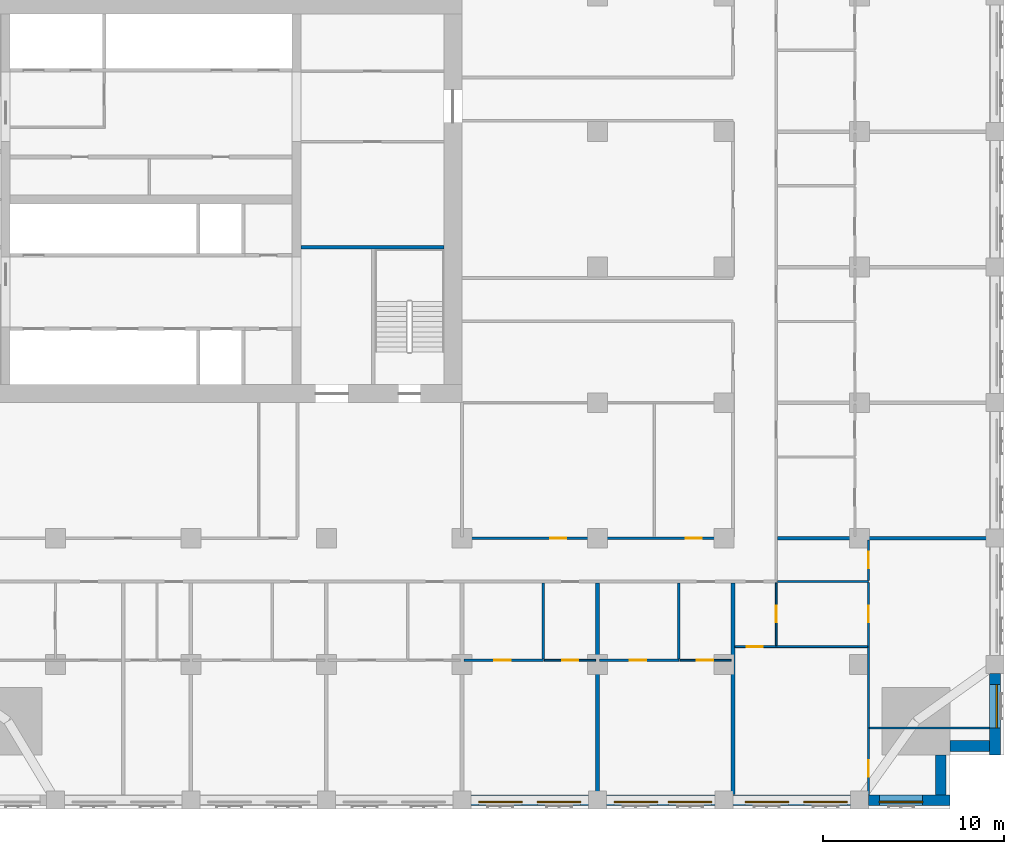
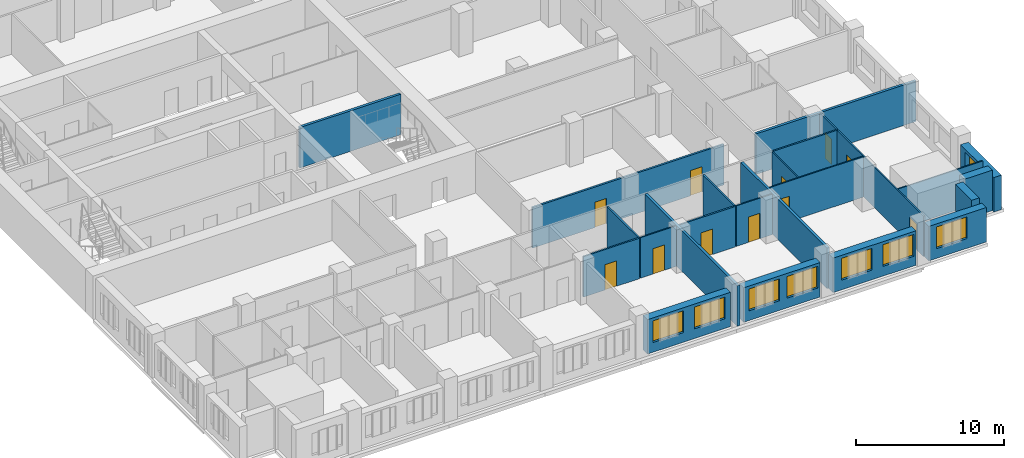
# One storey, part 6 of 14: 24 walls, 11 doors, 8 windows, 19 openings.
"""IFC4 building model written with IfcOpenShell, lengths in metres."""

from ifc_helpers import new_model, si_unit, direction, frame, frame_2d, origin, place, context, subcontext, project, spatial, rectangle, extrude, material, layer, layer_set, type_object, element, fill, save


model = new_model("IFC4")

# Units and contexts
model_context = context("Model", 3, precision=1e-05, world=origin(), true_north=direction((0.0, 1.0)))
body_context = subcontext(model_context, "Body", "Model", "MODEL_VIEW")
ifc_project = project(units=[si_unit("LENGTHUNIT", "METRE"), si_unit("AREAUNIT", "SQUARE_METRE"), si_unit("VOLUMEUNIT", "CUBIC_METRE"), si_unit("PLANEANGLEUNIT", "RADIAN"), si_unit("MASSUNIT", "GRAM", prefix="KILO")], contexts=[model_context])

# Site, building, storey
site_placement = place(None, origin())
site = spatial("IfcSite", under=ifc_project, at=site_placement, CompositionType="ELEMENT")
building_placement = place(site_placement, origin())
building = spatial("IfcBuilding", under=site, at=building_placement, Name="Tamorin Gate", CompositionType="ELEMENT")
storey_placement = place(building_placement, frame((0.0, 0.0, 100.699951171875)))
storey = spatial("IfcBuildingStorey", under=building, at=storey_placement, Name="L24", CompositionType="ELEMENT", Elevation=100.699951171875)

# Wall, openings, windows
ifc_material_1 = material(Name="Precast concrete C40/50", Category="concrete")
ifc_layer_1 = layer(ifc_material_1, 0.60009765625)
ifc_layer_set_1 = layer_set([ifc_layer_1], Name="Precast concrete C40/50")
wall_type_1 = type_object("IfcWallType", Name="Board-marked concrete facade panel 600", PredefinedType="SOLIDWALL", material=ifc_layer_set_1)
wall_1_placement = place(storey_placement, frame((60.5, 38.0, 0.0), z_axis=(0.0, 0.0, 1.0), x_axis=(1.0, 0.0, 0.0)))
wall_1 = element("IfcWall", 1, at=wall_1_placement, inside=storey, type_object=wall_type_1, Name="Facade panel", PredefinedType="SOLIDWALL", context=body_context, shape_type="SweptSolid", body=[
    extrude(rectangle(XDim=6.5, YDim=0.60009765625, at=frame_2d((3.25, 0.0))), origin(), (0.0, 0.0, 1.0), 2.85009765625),
])
opening_1_placement = place(wall_1_placement, frame((0.425048828125, 0.0, 0.800048828125)))
opening_1 = element("IfcOpeningElement", 2, at=opening_1_placement, cuts=wall_1, Name="Opening WN1", PredefinedType="OPENING", context=body_context, shape_type="SweptSolid", body=[
    extrude(rectangle(XDim=2.39990234375, YDim=1.800048828125, at=frame_2d((1.199951171875, 0.89990234375))), frame((0.0, 0.31005859375, 0.0), z_axis=(0.0, -1.0, 0.0), x_axis=(1.0, 0.0, 0.0)), (0.0, 0.0, 1.0), 0.6201171875),
])
opening_2_placement = place(wall_1_placement, frame((3.675048828125, 0.0, 0.800048828125)))
opening_2 = element("IfcOpeningElement", 3, at=opening_2_placement, cuts=wall_1, Name="Opening WN1", PredefinedType="OPENING", context=body_context, shape_type="SweptSolid", body=[
    extrude(rectangle(XDim=2.39990234375, YDim=1.800048828125, at=frame_2d((1.199951171875, 0.89990234375))), frame((0.0, 0.31005859375, 0.0), z_axis=(0.0, -1.0, 0.0), x_axis=(1.0, 0.0, 0.0)), (0.0, 0.0, 1.0), 0.6201171875),
])
ifc_material_2 = material(Name="Clear glass in aluminium frame", Category="aluminium")
window_type = type_object("IfcWindowType", Name="Deep-set window 2400x1800", PartitioningType="SINGLE_PANEL", PredefinedType="WINDOW", material=ifc_material_2)
window_1_placement = place(opening_1_placement, origin())
window_1 = element("IfcWindow", 4, at=window_1_placement, inside=storey, type_object=window_type, Name="Deep-set window", OverallHeight=1.800048828125, OverallWidth=2.39990234375, PartitioningType="SINGLE_PANEL", PredefinedType="WINDOW", context=body_context, shape_type="SweptSolid", body=[
    extrude(rectangle(XDim=2.39990234375, YDim=1.800048828125, at=frame_2d((1.199951171875, 0.89990234375))), frame((0.0, -0.070068359375, 0.0), z_axis=(0.0, -1.0, 0.0), x_axis=(1.0, 0.0, 0.0)), (0.0, 0.0, 1.0), 0.06005859375),
])
fill(opening_1, window_1)
window_2_placement = place(opening_2_placement, origin())
window_2 = element("IfcWindow", 5, at=window_2_placement, inside=storey, type_object=window_type, Name="Deep-set window", OverallHeight=1.800048828125, OverallWidth=2.39990234375, PartitioningType="SINGLE_PANEL", PredefinedType="WINDOW", context=body_context, shape_type="SweptSolid", body=[
    extrude(rectangle(XDim=2.39990234375, YDim=1.800048828125, at=frame_2d((1.199951171875, 0.89990234375))), frame((0.0, -0.070068359375, 0.0), z_axis=(0.0, -1.0, 0.0), x_axis=(1.0, 0.0, 0.0)), (0.0, 0.0, 1.0), 0.06005859375),
])
fill(opening_2, window_2)

wall_2_placement = place(storey_placement, frame((68.0, 38.0, 0.0), z_axis=(0.0, 0.0, 1.0), x_axis=(1.0, 0.0, 0.0)))
wall_2 = element("IfcWall", 6, at=wall_2_placement, inside=storey, type_object=wall_type_1, Name="Facade panel", PredefinedType="SOLIDWALL", context=body_context, shape_type="SweptSolid", body=[
    extrude(rectangle(XDim=6.0, YDim=0.60009765625, at=frame_2d((3.0, 0.0))), origin(), (0.0, 0.0, 1.0), 2.85009765625),
])
opening_3_placement = place(wall_2_placement, frame((0.425048828125, 0.0, 0.800048828125)))
opening_3 = element("IfcOpeningElement", 7, at=opening_3_placement, cuts=wall_2, Name="Opening WN1", PredefinedType="OPENING", context=body_context, shape_type="SweptSolid", body=[
    extrude(rectangle(XDim=2.39990234375, YDim=1.800048828125, at=frame_2d((1.199951171875, 0.89990234375))), frame((0.0, 0.31005859375, 0.0), z_axis=(0.0, -1.0, 0.0), x_axis=(1.0, 0.0, 0.0)), (0.0, 0.0, 1.0), 0.6201171875),
])
opening_4_placement = place(wall_2_placement, frame((3.425048828125, 0.0, 0.800048828125)))
opening_4 = element("IfcOpeningElement", 8, at=opening_4_placement, cuts=wall_2, Name="Opening WN1", PredefinedType="OPENING", context=body_context, shape_type="SweptSolid", body=[
    extrude(rectangle(XDim=2.39990234375, YDim=1.800048828125, at=frame_2d((1.199951171875, 0.89990234375))), frame((0.0, 0.31005859375, 0.0), z_axis=(0.0, -1.0, 0.0), x_axis=(1.0, 0.0, 0.0)), (0.0, 0.0, 1.0), 0.6201171875),
])
window_3_placement = place(opening_3_placement, origin())
window_3 = element("IfcWindow", 9, at=window_3_placement, inside=storey, type_object=window_type, Name="Deep-set window", OverallHeight=1.800048828125, OverallWidth=2.39990234375, PartitioningType="SINGLE_PANEL", PredefinedType="WINDOW", context=body_context, shape_type="SweptSolid", body=[
    extrude(rectangle(XDim=2.39990234375, YDim=1.800048828125, at=frame_2d((1.199951171875, 0.89990234375))), frame((0.0, -0.070068359375, 0.0), z_axis=(0.0, -1.0, 0.0), x_axis=(1.0, 0.0, 0.0)), (0.0, 0.0, 1.0), 0.06005859375),
])
fill(opening_3, window_3)
window_4_placement = place(opening_4_placement, origin())
window_4 = element("IfcWindow", 10, at=window_4_placement, inside=storey, type_object=window_type, Name="Deep-set window", OverallHeight=1.800048828125, OverallWidth=2.39990234375, PartitioningType="SINGLE_PANEL", PredefinedType="WINDOW", context=body_context, shape_type="SweptSolid", body=[
    extrude(rectangle(XDim=2.39990234375, YDim=1.800048828125, at=frame_2d((1.199951171875, 0.89990234375))), frame((0.0, -0.070068359375, 0.0), z_axis=(0.0, -1.0, 0.0), x_axis=(1.0, 0.0, 0.0)), (0.0, 0.0, 1.0), 0.06005859375),
])
fill(opening_4, window_4)

wall_3_placement = place(storey_placement, frame((75.0, 38.0, 0.0), z_axis=(0.0, 0.0, 1.0), x_axis=(1.0, 0.0, 0.0)))
wall_3 = element("IfcWall", 11, at=wall_3_placement, inside=storey, type_object=wall_type_1, Name="Facade panel", PredefinedType="SOLIDWALL", context=body_context, shape_type="SweptSolid", body=[
    extrude(rectangle(XDim=6.5, YDim=0.60009765625, at=frame_2d((3.25, 0.0))), origin(), (0.0, 0.0, 1.0), 2.85009765625),
])
opening_5_placement = place(wall_3_placement, frame((0.675048828125, 0.0, 0.800048828125)))
opening_5 = element("IfcOpeningElement", 12, at=opening_5_placement, cuts=wall_3, Name="Opening WN1", PredefinedType="OPENING", context=body_context, shape_type="SweptSolid", body=[
    extrude(rectangle(XDim=2.39990234375, YDim=1.800048828125, at=frame_2d((1.199951171875, 0.89990234375))), frame((0.0, 0.31005859375, 0.0), z_axis=(0.0, -1.0, 0.0), x_axis=(1.0, 0.0, 0.0)), (0.0, 0.0, 1.0), 0.6201171875),
])
opening_6_placement = place(wall_3_placement, frame((3.925048828125, 0.0, 0.800048828125)))
opening_6 = element("IfcOpeningElement", 13, at=opening_6_placement, cuts=wall_3, Name="Opening WN1", PredefinedType="OPENING", context=body_context, shape_type="SweptSolid", body=[
    extrude(rectangle(XDim=2.39990234375, YDim=1.800048828125, at=frame_2d((1.199951171875, 0.89990234375))), frame((0.0, 0.31005859375, 0.0), z_axis=(0.0, -1.0, 0.0), x_axis=(1.0, 0.0, 0.0)), (0.0, 0.0, 1.0), 0.6201171875),
])
window_5_placement = place(opening_5_placement, origin())
window_5 = element("IfcWindow", 14, at=window_5_placement, inside=storey, type_object=window_type, Name="Deep-set window", OverallHeight=1.800048828125, OverallWidth=2.39990234375, PartitioningType="SINGLE_PANEL", PredefinedType="WINDOW", context=body_context, shape_type="SweptSolid", body=[
    extrude(rectangle(XDim=2.39990234375, YDim=1.800048828125, at=frame_2d((1.199951171875, 0.89990234375))), frame((0.0, -0.070068359375, 0.0), z_axis=(0.0, -1.0, 0.0), x_axis=(1.0, 0.0, 0.0)), (0.0, 0.0, 1.0), 0.06005859375),
])
fill(opening_5, window_5)
window_6_placement = place(opening_6_placement, origin())
window_6 = element("IfcWindow", 15, at=window_6_placement, inside=storey, type_object=window_type, Name="Deep-set window", OverallHeight=1.800048828125, OverallWidth=2.39990234375, PartitioningType="SINGLE_PANEL", PredefinedType="WINDOW", context=body_context, shape_type="SweptSolid", body=[
    extrude(rectangle(XDim=2.39990234375, YDim=1.800048828125, at=frame_2d((1.199951171875, 0.89990234375))), frame((0.0, -0.070068359375, 0.0), z_axis=(0.0, -1.0, 0.0), x_axis=(1.0, 0.0, 0.0)), (0.0, 0.0, 1.0), 0.06005859375),
])
fill(opening_6, window_6)

# Wall, opening, window
wall_4_placement = place(storey_placement, frame((82.5, 38.0, 0.0), z_axis=(0.0, 0.0, 1.0), x_axis=(1.0, 0.0, 0.0)))
wall_4 = element("IfcWall", 16, at=wall_4_placement, inside=storey, type_object=wall_type_1, Name="Facade panel", PredefinedType="SOLIDWALL", context=body_context, shape_type="SweptSolid", body=[
    extrude(rectangle(XDim=4.5, YDim=0.60009765625, at=frame_2d((2.25, 0.0))), origin(), (0.0, 0.0, 1.0), 2.85009765625),
])
opening_7_placement = place(wall_4_placement, frame((0.60009765625, 0.0, 0.800048828125)))
opening_7 = element("IfcOpeningElement", 17, at=opening_7_placement, cuts=wall_4, Name="Opening WN1", PredefinedType="OPENING", context=body_context, shape_type="SweptSolid", body=[
    extrude(rectangle(XDim=2.39990234375, YDim=1.800048828125, at=frame_2d((1.199951171875, 0.89990234375))), frame((0.0, 0.31005859375, 0.0), z_axis=(0.0, -1.0, 0.0), x_axis=(1.0, 0.0, 0.0)), (0.0, 0.0, 1.0), 0.6201171875),
])
window_7_placement = place(opening_7_placement, origin())
window_7 = element("IfcWindow", 18, at=window_7_placement, inside=storey, type_object=window_type, Name="Deep-set window", OverallHeight=1.800048828125, OverallWidth=2.39990234375, PartitioningType="SINGLE_PANEL", PredefinedType="WINDOW", context=body_context, shape_type="SweptSolid", body=[
    extrude(rectangle(XDim=2.39990234375, YDim=1.800048828125, at=frame_2d((1.199951171875, 0.89990234375))), frame((0.0, -0.070068359375, 0.0), z_axis=(0.0, -1.0, 0.0), x_axis=(1.0, 0.0, 0.0)), (0.0, 0.0, 1.0), 0.06005859375),
])
fill(opening_7, window_7)

# Walls
for number, where, z_axis, x_axis, name in (
    (19, (86.5, 38.300048828125, 0.0), (0.0, 0.0, 1.0), (0.0, 1.0, 0.0), "Facade panel"),
    (20, (87.0, 41.0, 0.0), (0.0, 0.0, 1.0), (1.0, 0.0, 0.0), "Facade panel"),
):
    element("IfcWall", number, at=place(storey_placement, frame(where, z_axis=z_axis, x_axis=x_axis)), inside=storey, type_object=wall_type_1, Name=name, PredefinedType="SOLIDWALL", context=body_context, shape_type="SweptSolid", body=[
        extrude(rectangle(XDim=2.199951171875, YDim=0.60009765625, at=frame_2d((1.10009765625, 0.0))), origin(), (0.0, 0.0, 1.0), 3.35009765625),
    ])

# Wall, opening, window
wall_5_placement = place(storey_placement, frame((89.5, 40.5, 0.0), z_axis=(0.0, 0.0, 1.0), x_axis=(0.0, 1.0, 0.0)))
wall_5 = element("IfcWall", 21, at=wall_5_placement, inside=storey, type_object=wall_type_1, Name="Facade panel", PredefinedType="SOLIDWALL", context=body_context, shape_type="SweptSolid", body=[
    extrude(rectangle(XDim=4.5, YDim=0.60009765625, at=frame_2d((2.25, 0.0))), origin(), (0.0, 0.0, 1.0), 2.85009765625),
])
opening_8_placement = place(wall_5_placement, frame((1.5, 0.0, 0.800048828125)))
opening_8 = element("IfcOpeningElement", 22, at=opening_8_placement, cuts=wall_5, Name="Opening WN1", PredefinedType="OPENING", context=body_context, shape_type="SweptSolid", body=[
    extrude(rectangle(XDim=2.39990234375, YDim=1.800048828125, at=frame_2d((1.199951171875, 0.89990234375))), frame((0.0, 0.31005859375, 0.0), z_axis=(0.0, -1.0, 0.0), x_axis=(1.0, 0.0, 0.0)), (0.0, 0.0, 1.0), 0.6201171875),
])
window_8_placement = place(opening_8_placement, origin())
window_8 = element("IfcWindow", 23, at=window_8_placement, inside=storey, type_object=window_type, Name="Deep-set window", OverallHeight=1.800048828125, OverallWidth=2.39990234375, PartitioningType="SINGLE_PANEL", PredefinedType="WINDOW", context=body_context, shape_type="SweptSolid", body=[
    extrude(rectangle(XDim=2.39990234375, YDim=1.800048828125, at=frame_2d((1.199951171875, 0.89990234375))), frame((0.0, -0.070068359375, 0.0), z_axis=(0.0, -1.0, 0.0), x_axis=(1.0, 0.0, 0.0)), (0.0, 0.0, 1.0), 0.06005859375),
])
fill(opening_8, window_8)

# Wall, openings, doors
ifc_material_3 = material(Name="Gypsum board partition")
ifc_layer_2 = layer(ifc_material_3, 0.14990234375)
ifc_layer_set_2 = layer_set([ifc_layer_2], Name="Corridor wall 150")
wall_type_2 = type_object("IfcWallType", Name="Corridor wall 150", PredefinedType="PARTITIONING", material=ifc_layer_set_2)
wall_6_placement = place(storey_placement, frame((60.0, 52.5, 0.0), z_axis=(0.0, 0.0, 1.0), x_axis=(1.0, 0.0, 0.0)))
wall_6 = element("IfcWall", 24, at=wall_6_placement, inside=storey, type_object=wall_type_2, Name="Corridor wall 150", PredefinedType="PARTITIONING", context=body_context, shape_type="SweptSolid", body=[
    extrude(rectangle(XDim=15.0, YDim=0.14990234375, at=frame_2d((7.5, 0.0))), origin(), (0.0, 0.0, 1.0), 3.35009765625),
])
opening_9_placement = place(wall_6_placement, frame((4.875, 0.0, 0.0)))
opening_9 = element("IfcOpeningElement", 25, at=opening_9_placement, cuts=wall_6, Name="Opening DH7068", PredefinedType="OPENING", context=body_context, shape_type="SweptSolid", body=[
    extrude(rectangle(XDim=0.89990234375, YDim=2.10009765625, at=frame_2d((0.449951171875, 1.050048828125))), frame((0.0, 0.0849609375, 0.0), z_axis=(0.0, -1.0, 0.0), x_axis=(1.0, 0.0, 0.0)), (0.0, 0.0, 1.0), 0.169921875),
])
opening_10_placement = place(wall_6_placement, frame((12.375, 0.0, 0.0)))
opening_10 = element("IfcOpeningElement", 26, at=opening_10_placement, cuts=wall_6, Name="Opening DH7069", PredefinedType="OPENING", context=body_context, shape_type="SweptSolid", body=[
    extrude(rectangle(XDim=0.89990234375, YDim=2.10009765625, at=frame_2d((0.449951171875, 1.050048828125))), frame((0.0, 0.0849609375, 0.0), z_axis=(0.0, -1.0, 0.0), x_axis=(1.0, 0.0, 0.0)), (0.0, 0.0, 1.0), 0.169921875),
])
ifc_material_4 = material(Name="Timber door leaf", Category="wood")
door_type_1 = type_object("IfcDoorType", Name="Door 900 x 2100 FD30S", OperationType="NOTDEFINED", PredefinedType="DOOR", material=ifc_material_4)
door_1_placement = place(opening_9_placement, origin())
door_1 = element("IfcDoor", 27, at=door_1_placement, inside=storey, type_object=door_type_1, Name="Door DH7068", OperationType="SINGLE_SWING_RIGHT", OverallHeight=2.10009765625, OverallWidth=0.89990234375, PredefinedType="DOOR", context=body_context, shape_type="SweptSolid", body=[
    extrude(rectangle(XDim=0.89990234375, YDim=2.10009765625, at=frame_2d((0.449951171875, 1.050048828125))), frame((0.0, 0.02490234375, 0.0), z_axis=(0.0, -1.0, 0.0), x_axis=(1.0, 0.0, 0.0)), (0.0, 0.0, 1.0), 0.050048828125),
])
fill(opening_9, door_1)
door_2_placement = place(opening_10_placement, origin())
door_2 = element("IfcDoor", 28, at=door_2_placement, inside=storey, type_object=door_type_1, Name="Door DH7069", OperationType="SINGLE_SWING_RIGHT", OverallHeight=2.10009765625, OverallWidth=0.89990234375, PredefinedType="DOOR", context=body_context, shape_type="SweptSolid", body=[
    extrude(rectangle(XDim=0.89990234375, YDim=2.10009765625, at=frame_2d((0.449951171875, 1.050048828125))), frame((0.0, 0.02490234375, 0.0), z_axis=(0.0, -1.0, 0.0), x_axis=(1.0, 0.0, 0.0)), (0.0, 0.0, 1.0), 0.050048828125),
])
fill(opening_10, door_2)

# Walls
ifc_layer_3 = layer(ifc_material_3, 0.199951171875)
ifc_layer_set_3 = layer_set([ifc_layer_3], Name="Demising wall 200")
wall_type_3 = type_object("IfcWallType", Name="Demising wall 200", PredefinedType="PARTITIONING", material=ifc_layer_set_3)
for number, where, z_axis, x_axis, name in (
    (29, (77.47509765625, 52.5, 0.0), (0.0, 0.0, 1.0), (1.0, 0.0, 0.0), "Demising wall 200"),
    (30, (67.5, 37.5, 0.0), (0.0, 0.0, 1.0), (0.0, 1.0, 0.0), "Demising wall 200"),
):
    element("IfcWall", number, at=place(storey_placement, frame(where, z_axis=z_axis, x_axis=x_axis)), inside=storey, type_object=wall_type_3, Name=name, PredefinedType="PARTITIONING", context=body_context, shape_type="SweptSolid", body=[
        extrude(rectangle(XDim=12.52490234375, YDim=0.199951171875, at=frame_2d((6.262451171875, 0.0))), origin(), (0.0, 0.0, 1.0), 3.35009765625),
    ])
wall_7_placement = place(storey_placement, frame((75.0, 38.31005859375, 0.0), z_axis=(0.0, 0.0, 1.0), x_axis=(0.0, 1.0, 0.0)))
element("IfcWall", 31, at=wall_7_placement, inside=storey, type_object=wall_type_3, Name="Demising wall 200", PredefinedType="PARTITIONING", context=body_context, shape_type="SweptSolid", body=[
    extrude(rectangle(XDim=11.71484375, YDim=0.199951171875, at=frame_2d((5.857421875, 0.0))), origin(), (0.0, 0.0, 1.0), 3.35009765625),
])
ifc_layer_4 = layer(ifc_material_3, 0.10009765625)
ifc_layer_set_4 = layer_set([ifc_layer_4], Name="Room partition 100")
wall_type_4 = type_object("IfcWallType", Name="Room partition 100", PredefinedType="PARTITIONING", material=ifc_layer_set_4)
wall_8_placement = place(storey_placement, frame((82.550048828125, 42.0, 0.0), z_axis=(0.0, 0.0, 1.0), x_axis=(1.0, 0.0, 0.0)))
element("IfcWall", 32, at=wall_8_placement, inside=storey, type_object=wall_type_4, Name="Room partition 100", PredefinedType="PARTITIONING", context=body_context, shape_type="SweptSolid", body=[
    extrude(rectangle(XDim=6.639892578125, YDim=0.10009765625, at=frame_2d((3.31982421875, 0.0))), origin(), (0.0, 0.0, 1.0), 3.35009765625),
])

# Wall, opening, door
wall_9_placement = place(storey_placement, frame((64.5625, 45.75, 0.0), z_axis=(0.0, 0.0, 1.0), x_axis=(1.0, 0.0, 0.0)))
wall_9 = element("IfcWall", 33, at=wall_9_placement, inside=storey, type_object=wall_type_4, Name="Room partition 100", PredefinedType="PARTITIONING", context=body_context, shape_type="SweptSolid", body=[
    extrude(rectangle(XDim=2.83740234375, YDim=0.10009765625, at=frame_2d((1.418701171875, 0.0))), origin(), (0.0, 0.0, 1.0), 3.35009765625),
])
opening_11_placement = place(wall_9_placement, frame((0.987548828125, 0.0, 0.0)))
opening_11 = element("IfcOpeningElement", 34, at=opening_11_placement, cuts=wall_9, Name="Opening DH7016", PredefinedType="OPENING", context=body_context, shape_type="SweptSolid", body=[
    extrude(rectangle(XDim=0.89990234375, YDim=2.10009765625, at=frame_2d((0.449951171875, 1.050048828125))), frame((0.0, 0.06005859375, 0.0), z_axis=(0.0, -1.0, 0.0), x_axis=(1.0, 0.0, 0.0)), (0.0, 0.0, 1.0), 0.1201171875),
])
door_type_2 = type_object("IfcDoorType", Name="Door 900 x 2100", OperationType="NOTDEFINED", PredefinedType="DOOR", material=ifc_material_4)
door_3_placement = place(opening_11_placement, origin())
door_3 = element("IfcDoor", 35, at=door_3_placement, inside=storey, type_object=door_type_2, Name="Door DH7016", OperationType="SINGLE_SWING_LEFT", OverallHeight=2.10009765625, OverallWidth=0.89990234375, PredefinedType="DOOR", context=body_context, shape_type="SweptSolid", body=[
    extrude(rectangle(XDim=0.89990234375, YDim=2.10009765625, at=frame_2d((0.449951171875, 1.050048828125))), frame((0.0, 0.02490234375, 0.0), z_axis=(0.0, -1.0, 0.0), x_axis=(1.0, 0.0, 0.0)), (0.0, 0.0, 1.0), 0.050048828125),
])
fill(opening_11, door_3)

wall_10_placement = place(storey_placement, frame((72.0625, 45.75, 0.0), z_axis=(0.0, 0.0, 1.0), x_axis=(1.0, 0.0, 0.0)))
wall_10 = element("IfcWall", 36, at=wall_10_placement, inside=storey, type_object=wall_type_4, Name="Room partition 100", PredefinedType="PARTITIONING", context=body_context, shape_type="SweptSolid", body=[
    extrude(rectangle(XDim=2.83740234375, YDim=0.10009765625, at=frame_2d((1.418701171875, 0.0))), origin(), (0.0, 0.0, 1.0), 3.35009765625),
])
opening_12_placement = place(wall_10_placement, frame((0.9375, 0.0, 0.0)))
opening_12 = element("IfcOpeningElement", 37, at=opening_12_placement, cuts=wall_10, Name="Opening DH7019", PredefinedType="OPENING", context=body_context, shape_type="SweptSolid", body=[
    extrude(rectangle(XDim=0.89990234375, YDim=2.10009765625, at=frame_2d((0.449951171875, 1.050048828125))), frame((0.0, 0.06005859375, 0.0), z_axis=(0.0, -1.0, 0.0), x_axis=(1.0, 0.0, 0.0)), (0.0, 0.0, 1.0), 0.1201171875),
])
door_4_placement = place(opening_12_placement, origin())
door_4 = element("IfcDoor", 38, at=door_4_placement, inside=storey, type_object=door_type_2, Name="Door DH7019", OperationType="SINGLE_SWING_LEFT", OverallHeight=2.10009765625, OverallWidth=0.89990234375, PredefinedType="DOOR", context=body_context, shape_type="SweptSolid", body=[
    extrude(rectangle(XDim=0.89990234375, YDim=2.10009765625, at=frame_2d((0.449951171875, 1.050048828125))), frame((0.0, 0.02490234375, 0.0), z_axis=(0.0, -1.0, 0.0), x_axis=(1.0, 0.0, 0.0)), (0.0, 0.0, 1.0), 0.050048828125),
])
fill(opening_12, door_4)

wall_11_placement = place(storey_placement, frame((75.10009765625, 46.5, 0.0), z_axis=(0.0, 0.0, 1.0), x_axis=(1.0, 0.0, 0.0)))
wall_11 = element("IfcWall", 39, at=wall_11_placement, inside=storey, type_object=wall_type_4, Name="Room partition 100", PredefinedType="PARTITIONING", context=body_context, shape_type="SweptSolid", body=[
    extrude(rectangle(XDim=7.349853515625, YDim=0.10009765625, at=frame_2d((3.6748046875, 0.0))), origin(), (0.0, 0.0, 1.0), 3.35009765625),
])
opening_13_placement = place(wall_11_placement, frame((0.64990234375, 0.0, 0.0)))
opening_13 = element("IfcOpeningElement", 40, at=opening_13_placement, cuts=wall_11, Name="Opening DH7055", PredefinedType="OPENING", context=body_context, shape_type="SweptSolid", body=[
    extrude(rectangle(XDim=0.89990234375, YDim=2.10009765625, at=frame_2d((0.449951171875, 1.050048828125))), frame((0.0, 0.06005859375, 0.0), z_axis=(0.0, -1.0, 0.0), x_axis=(1.0, 0.0, 0.0)), (0.0, 0.0, 1.0), 0.1201171875),
])
door_5_placement = place(opening_13_placement, origin())
door_5 = element("IfcDoor", 41, at=door_5_placement, inside=storey, type_object=door_type_2, Name="Door DH7055", OperationType="SINGLE_SWING_RIGHT", OverallHeight=2.10009765625, OverallWidth=0.89990234375, PredefinedType="DOOR", context=body_context, shape_type="SweptSolid", body=[
    extrude(rectangle(XDim=0.89990234375, YDim=2.10009765625, at=frame_2d((0.449951171875, 1.050048828125))), frame((0.0, 0.02490234375, 0.0), z_axis=(0.0, -1.0, 0.0), x_axis=(1.0, 0.0, 0.0)), (0.0, 0.0, 1.0), 0.050048828125),
])
fill(opening_13, door_5)

wall_12_placement = place(storey_placement, frame((77.39990234375, 46.550048828125, 0.0), z_axis=(0.0, 0.0, 1.0), x_axis=(0.0, 1.0, 0.0)))
wall_12 = element("IfcWall", 42, at=wall_12_placement, inside=storey, type_object=wall_type_4, Name="Room partition 100", PredefinedType="PARTITIONING", context=body_context, shape_type="SweptSolid", body=[
    extrude(rectangle(XDim=3.474853515625, YDim=0.10009765625, at=frame_2d((1.7373046875, 0.0))), origin(), (0.0, 0.0, 1.0), 3.35009765625),
])
opening_14_placement = place(wall_12_placement, frame((1.300048828125, 0.0, 0.0)))
opening_14 = element("IfcOpeningElement", 43, at=opening_14_placement, cuts=wall_12, Name="Opening DH7056", PredefinedType="OPENING", context=body_context, shape_type="SweptSolid", body=[
    extrude(rectangle(XDim=0.89990234375, YDim=2.10009765625, at=frame_2d((0.449951171875, 1.050048828125))), frame((0.0, 0.06005859375, 0.0), z_axis=(0.0, -1.0, 0.0), x_axis=(1.0, 0.0, 0.0)), (0.0, 0.0, 1.0), 0.1201171875),
])
door_6_placement = place(opening_14_placement, origin())
door_6 = element("IfcDoor", 44, at=door_6_placement, inside=storey, type_object=door_type_2, Name="Door DH7056", OperationType="SINGLE_SWING_RIGHT", OverallHeight=2.10009765625, OverallWidth=0.89990234375, PredefinedType="DOOR", context=body_context, shape_type="SweptSolid", body=[
    extrude(rectangle(XDim=0.89990234375, YDim=2.10009765625, at=frame_2d((0.449951171875, 1.050048828125))), frame((0.0, 0.02490234375, 0.0), z_axis=(0.0, -1.0, 0.0), x_axis=(1.0, 0.0, 0.0)), (0.0, 0.0, 1.0), 0.050048828125),
])
fill(opening_14, door_6)

# Wall, openings, doors
wall_13_placement = place(storey_placement, frame((82.5, 38.31005859375, 0.0), z_axis=(0.0, 0.0, 1.0), x_axis=(0.0, 1.0, 0.0)))
wall_13 = element("IfcWall", 45, at=wall_13_placement, inside=storey, type_object=wall_type_4, Name="Room partition 100", PredefinedType="PARTITIONING", context=body_context, shape_type="SweptSolid", body=[
    extrude(rectangle(XDim=11.7275390625, YDim=0.10009765625, at=frame_2d((5.86376953125, 0.0))), origin(), (0.0, 0.0, 1.0), 3.35009765625),
])
opening_15_placement = place(wall_13_placement, frame((0.989990234375, 0.0, 0.0)))
opening_15 = element("IfcOpeningElement", 46, at=opening_15_placement, cuts=wall_13, Name="Opening DH7057", PredefinedType="OPENING", context=body_context, shape_type="SweptSolid", body=[
    extrude(rectangle(XDim=0.89990234375, YDim=2.10009765625, at=frame_2d((0.449951171875, 1.050048828125))), frame((0.0, 0.06005859375, 0.0), z_axis=(0.0, -1.0, 0.0), x_axis=(1.0, 0.0, 0.0)), (0.0, 0.0, 1.0), 0.1201171875),
])
opening_16_placement = place(wall_13_placement, frame((9.5400390625, 0.0, 0.0)))
opening_16 = element("IfcOpeningElement", 47, at=opening_16_placement, cuts=wall_13, Name="Opening DH7058", PredefinedType="OPENING", context=body_context, shape_type="SweptSolid", body=[
    extrude(rectangle(XDim=0.89990234375, YDim=2.10009765625, at=frame_2d((0.449951171875, 1.050048828125))), frame((0.0, 0.06005859375, 0.0), z_axis=(0.0, -1.0, 0.0), x_axis=(1.0, 0.0, 0.0)), (0.0, 0.0, 1.0), 0.1201171875),
])
door_7_placement = place(opening_15_placement, origin())
door_7 = element("IfcDoor", 48, at=door_7_placement, inside=storey, type_object=door_type_2, Name="Door DH7057", OperationType="SINGLE_SWING_LEFT", OverallHeight=2.10009765625, OverallWidth=0.89990234375, PredefinedType="DOOR", context=body_context, shape_type="SweptSolid", body=[
    extrude(rectangle(XDim=0.89990234375, YDim=2.10009765625, at=frame_2d((0.449951171875, 1.050048828125))), frame((0.0, 0.02490234375, 0.0), z_axis=(0.0, -1.0, 0.0), x_axis=(1.0, 0.0, 0.0)), (0.0, 0.0, 1.0), 0.050048828125),
])
fill(opening_15, door_7)
door_8_placement = place(opening_16_placement, origin())
door_8 = element("IfcDoor", 49, at=door_8_placement, inside=storey, type_object=door_type_2, Name="Door DH7058", OperationType="SINGLE_SWING_RIGHT", OverallHeight=2.10009765625, OverallWidth=0.89990234375, PredefinedType="DOOR", context=body_context, shape_type="SweptSolid", body=[
    extrude(rectangle(XDim=0.89990234375, YDim=2.10009765625, at=frame_2d((0.449951171875, 1.050048828125))), frame((0.0, 0.02490234375, 0.0), z_axis=(0.0, -1.0, 0.0), x_axis=(1.0, 0.0, 0.0)), (0.0, 0.0, 1.0), 0.050048828125),
])
fill(opening_16, door_8)

# Wall
ifc_material_5 = material(Name="Concrete C40/50", Category="concrete")
ifc_layer_5 = layer(ifc_material_5, 0.199951171875)
ifc_layer_set_5 = layer_set([ifc_layer_5], Name="Stair enclosure wall 200 EI 120 C40/50")
wall_type_5 = type_object("IfcWallType", Name="Stair enclosure wall 200 EI 120 C40/50", PredefinedType="SOLIDWALL", material=ifc_layer_set_5)
wall_14_placement = place(storey_placement, frame((51.10009765625, 68.60009765625, 0.0), z_axis=(0.0, 0.0, 1.0), x_axis=(1.0, 0.0, 0.0)))
element("IfcWall", 50, at=wall_14_placement, inside=storey, type_object=wall_type_5, Name="Stair enclosure wall", PredefinedType="SOLIDWALL", context=body_context, shape_type="SweptSolid", body=[
    extrude(rectangle(XDim=7.89990234375, YDim=0.199951171875, at=frame_2d((3.949951171875, 0.0))), origin(), (0.0, 0.0, 1.0), 3.35009765625),
])

# Wall, opening, door
ifc_layer_6 = layer(ifc_material_3, 0.125)
ifc_layer_set_6 = layer_set([ifc_layer_6], Name="Wet wall 125")
wall_type_6 = type_object("IfcWallType", Name="Wet wall 125", PredefinedType="PARTITIONING", material=ifc_layer_set_6)
wall_15_placement = place(storey_placement, frame((60.10009765625, 45.75, 0.0), z_axis=(0.0, 0.0, 1.0), x_axis=(1.0, 0.0, 0.0)))
wall_15 = element("IfcWall", 51, at=wall_15_placement, inside=storey, type_object=wall_type_6, Name="Wet wall 125", PredefinedType="PARTITIONING", context=body_context, shape_type="SweptSolid", body=[
    extrude(rectangle(XDim=4.39990234375, YDim=0.125, at=frame_2d((2.199951171875, 0.0))), origin(), (0.0, 0.0, 1.0), 3.35009765625),
])
opening_17_placement = place(wall_15_placement, frame((1.699951171875, 0.0, 0.0)))
opening_17 = element("IfcOpeningElement", 52, at=opening_17_placement, cuts=wall_15, Name="Opening DH7014", PredefinedType="OPENING", context=body_context, shape_type="SweptSolid", body=[
    extrude(rectangle(XDim=0.89990234375, YDim=2.10009765625, at=frame_2d((0.449951171875, 1.050048828125))), frame((0.0, 0.072509765625, 0.0), z_axis=(0.0, -1.0, 0.0), x_axis=(1.0, 0.0, 0.0)), (0.0, 0.0, 1.0), 0.14501953125),
])
door_9_placement = place(opening_17_placement, origin())
door_9 = element("IfcDoor", 53, at=door_9_placement, inside=storey, type_object=door_type_2, Name="Door DH7014", OperationType="SINGLE_SWING_LEFT", OverallHeight=2.10009765625, OverallWidth=0.89990234375, PredefinedType="DOOR", context=body_context, shape_type="SweptSolid", body=[
    extrude(rectangle(XDim=0.89990234375, YDim=2.10009765625, at=frame_2d((0.449951171875, 1.050048828125))), frame((0.0, 0.02490234375, 0.0), z_axis=(0.0, -1.0, 0.0), x_axis=(1.0, 0.0, 0.0)), (0.0, 0.0, 1.0), 0.050048828125),
])
fill(opening_17, door_9)

wall_16_placement = place(storey_placement, frame((67.60009765625, 45.75, 0.0), z_axis=(0.0, 0.0, 1.0), x_axis=(1.0, 0.0, 0.0)))
wall_16 = element("IfcWall", 54, at=wall_16_placement, inside=storey, type_object=wall_type_6, Name="Wet wall 125", PredefinedType="PARTITIONING", context=body_context, shape_type="SweptSolid", body=[
    extrude(rectangle(XDim=4.39990234375, YDim=0.125, at=frame_2d((2.199951171875, 0.0))), origin(), (0.0, 0.0, 1.0), 3.35009765625),
])
opening_18_placement = place(wall_16_placement, frame((1.699951171875, 0.0, 0.0)))
opening_18 = element("IfcOpeningElement", 55, at=opening_18_placement, cuts=wall_16, Name="Opening DH7017", PredefinedType="OPENING", context=body_context, shape_type="SweptSolid", body=[
    extrude(rectangle(XDim=0.89990234375, YDim=2.10009765625, at=frame_2d((0.449951171875, 1.050048828125))), frame((0.0, 0.072509765625, 0.0), z_axis=(0.0, -1.0, 0.0), x_axis=(1.0, 0.0, 0.0)), (0.0, 0.0, 1.0), 0.14501953125),
])
door_10_placement = place(opening_18_placement, origin())
door_10 = element("IfcDoor", 56, at=door_10_placement, inside=storey, type_object=door_type_2, Name="Door DH7017", OperationType="SINGLE_SWING_LEFT", OverallHeight=2.10009765625, OverallWidth=0.89990234375, PredefinedType="DOOR", context=body_context, shape_type="SweptSolid", body=[
    extrude(rectangle(XDim=0.89990234375, YDim=2.10009765625, at=frame_2d((0.449951171875, 1.050048828125))), frame((0.0, 0.02490234375, 0.0), z_axis=(0.0, -1.0, 0.0), x_axis=(1.0, 0.0, 0.0)), (0.0, 0.0, 1.0), 0.050048828125),
])
fill(opening_18, door_10)

# Walls
wall_17_placement = place(storey_placement, frame((77.47509765625, 50.10009765625, 0.0), z_axis=(0.0, 0.0, 1.0), x_axis=(1.0, 0.0, 0.0)))
element("IfcWall", 57, at=wall_17_placement, inside=storey, type_object=wall_type_6, Name="Wet wall 125", PredefinedType="PARTITIONING", context=body_context, shape_type="SweptSolid", body=[
    extrude(rectangle(XDim=5.02490234375, YDim=0.125, at=frame_2d((2.512451171875, 0.0))), origin(), (0.0, 0.0, 1.0), 3.35009765625),
])
for number, where, z_axis, x_axis, name in (
    (58, (64.5, 45.8125, 0.0), (0.0, 0.0, 1.0), (0.0, 1.0, 0.0), "Wet wall 125"),
    (59, (72.0, 45.8125, 0.0), (0.0, 0.0, 1.0), (0.0, 1.0, 0.0), "Wet wall 125"),
):
    element("IfcWall", number, at=place(storey_placement, frame(where, z_axis=z_axis, x_axis=x_axis)), inside=storey, type_object=wall_type_6, Name=name, PredefinedType="PARTITIONING", context=body_context, shape_type="SweptSolid", body=[
        extrude(rectangle(XDim=4.21240234375, YDim=0.125, at=frame_2d((2.106201171875, 0.0))), origin(), (0.0, 0.0, 1.0), 3.35009765625),
    ])

# Wall, opening, door
wall_18_placement = place(storey_placement, frame((82.5, 50.16259765625, 0.0), z_axis=(0.0, 0.0, 1.0), x_axis=(0.0, 1.0, 0.0)))
wall_18 = element("IfcWall", 60, at=wall_18_placement, inside=storey, type_object=wall_type_6, Name="Wet wall 125", PredefinedType="PARTITIONING", context=body_context, shape_type="SweptSolid", body=[
    extrude(rectangle(XDim=2.2373046875, YDim=0.125, at=frame_2d((1.11865234375, 0.0))), origin(), (0.0, 0.0, 1.0), 3.35009765625),
])
opening_19_placement = place(wall_18_placement, frame((0.6875, 0.0, 0.0)))
opening_19 = element("IfcOpeningElement", 61, at=opening_19_placement, cuts=wall_18, Name="Opening DH7059", PredefinedType="OPENING", context=body_context, shape_type="SweptSolid", body=[
    extrude(rectangle(XDim=0.89990234375, YDim=2.10009765625, at=frame_2d((0.449951171875, 1.050048828125))), frame((0.0, 0.072509765625, 0.0), z_axis=(0.0, -1.0, 0.0), x_axis=(1.0, 0.0, 0.0)), (0.0, 0.0, 1.0), 0.14501953125),
])
door_11_placement = place(opening_19_placement, origin())
door_11 = element("IfcDoor", 62, at=door_11_placement, inside=storey, type_object=door_type_2, Name="Door DH7059", OperationType="SINGLE_SWING_LEFT", OverallHeight=2.10009765625, OverallWidth=0.89990234375, PredefinedType="DOOR", context=body_context, shape_type="SweptSolid", body=[
    extrude(rectangle(XDim=0.89990234375, YDim=2.10009765625, at=frame_2d((0.449951171875, 1.050048828125))), frame((0.0, 0.02490234375, 0.0), z_axis=(0.0, -1.0, 0.0), x_axis=(1.0, 0.0, 0.0)), (0.0, 0.0, 1.0), 0.050048828125),
])
fill(opening_19, door_11)

save(model, "model.ifc")
